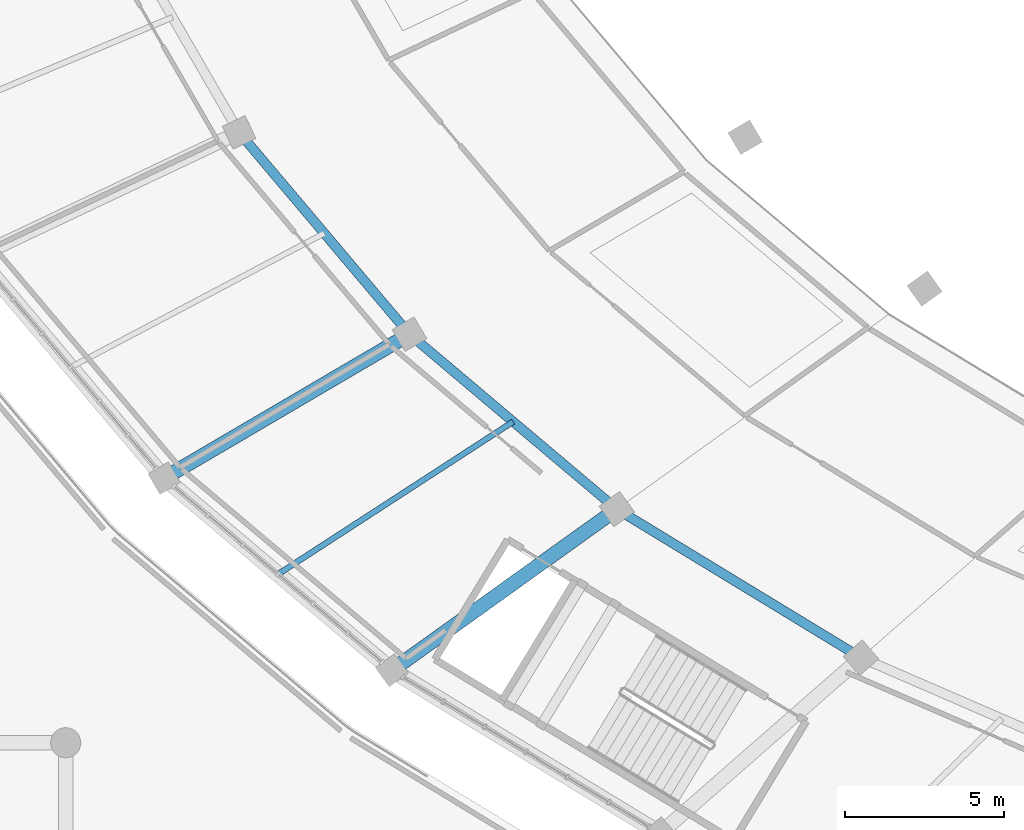
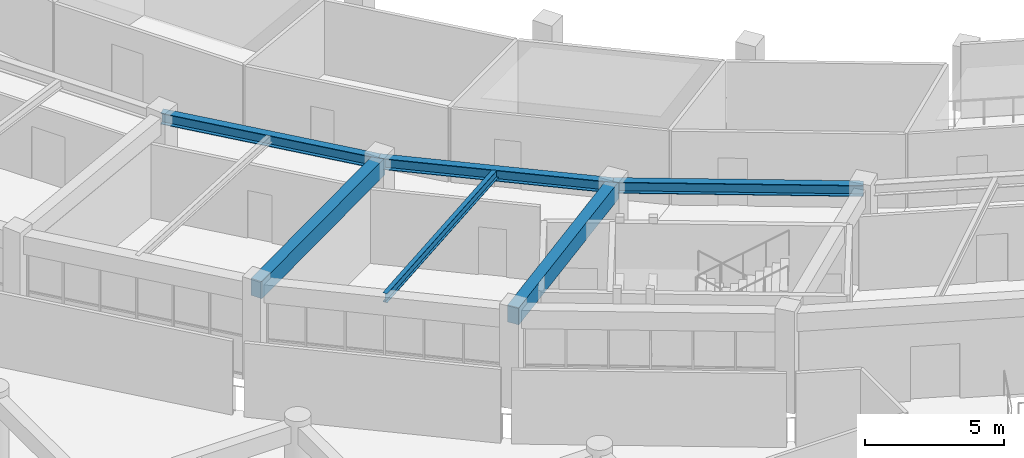
# One storey, part 20 of 141: 6 beams.
"""IFC4 building model written with IfcOpenShell, lengths in metres."""

from ifc_helpers import new_model, si_unit, direction, frame, origin, origin_2d, place, context, subcontext, project, spatial, rectangle, i_section, extrude, material, material_profile, profile_set, type_object, element, save


model = new_model("IFC4")

# Units and contexts
model_context = context("Model", 3, precision=1e-05, world=origin(), true_north=direction((0.0, 1.0)))
body_context = subcontext(model_context, "Body", "Model", "MODEL_VIEW")
ifc_project = project(units=[si_unit("LENGTHUNIT", "METRE"), si_unit("AREAUNIT", "SQUARE_METRE"), si_unit("VOLUMEUNIT", "CUBIC_METRE"), si_unit("PLANEANGLEUNIT", "RADIAN"), si_unit("MASSUNIT", "GRAM", prefix="KILO")], contexts=[model_context])

# Site, building, storey
site_placement = place(None, origin())
site = spatial("IfcSite", under=ifc_project, at=site_placement, CompositionType="ELEMENT")
building_placement = place(site_placement, origin())
building = spatial("IfcBuilding", under=site, at=building_placement, Name="Mphavela Belvedere Stadium", CompositionType="ELEMENT")
storey_placement = place(building_placement, frame((0.0, 0.0, 14.699951171875)))
storey = spatial("IfcBuildingStorey", under=building, at=storey_placement, Name="L03", CompositionType="ELEMENT", Elevation=14.699951171875)

# Beams
ifc_material_1 = material(Name="Steel S355", Category="steel")
ifc_material_profile_1 = material_profile(ifc_material_1, i_section(OverallWidth=0.179931640625, OverallDepth=0.39990234375, WebThickness=0.008544921875, FlangeThickness=0.013427734375, at=origin_2d()), Name="IPE 400")
ifc_profile_set_1 = profile_set([ifc_material_profile_1], Name="Steel S355")
beam_type_1 = type_object("IfcBeamType", Name="BM-JOIST-IPE400", PredefinedType="JOIST", material=ifc_profile_set_1)
beam_1_placement = place(storey_placement, frame((39.669189453125, 38.127197265625, 4.050048828125), z_axis=(-0.838915278194, -0.544262028818, 0.0), x_axis=(0.544262028818, -0.838915278194, 0.0)))
element("IfcBeam", 1, at=beam_1_placement, inside=storey, type_object=beam_type_1, Name="Concourse floor joist L03-30", PredefinedType="JOIST", context=body_context, shape_type="SweptSolid", body=[
    extrude(i_section(OverallWidth=0.179931640625, OverallDepth=0.39990234375, WebThickness=0.008544921875, FlangeThickness=0.013427734375, at=origin_2d()), origin(), (0.0, 0.0, 1.0), 8.840087890625),
])
ifc_material_2 = material(Name="Concrete C40/50", Category="concrete")
ifc_material_profile_2 = material_profile(ifc_material_2, rectangle(XDim=0.449951171875, YDim=0.75, at=origin_2d()), Name="RC 450x750")
ifc_profile_set_2 = profile_set([ifc_material_profile_2], Name="Concrete C40/50")
beam_type_2 = type_object("IfcBeamType", Name="BM-RC450x750", PredefinedType="BEAM", material=ifc_profile_set_2)
beam_2_placement = place(storey_placement, frame((36.399658203125, 40.88623046875, 3.875), z_axis=(-0.862517779395, -0.506026758411, 0.0), x_axis=(0.506026758411, -0.862517779395, 0.0)))
element("IfcBeam", 2, at=beam_2_placement, inside=storey, type_object=beam_type_2, Name="Radial concourse girder L03 R3R4-30", PredefinedType="BEAM", context=body_context, shape_type="SweptSolid", body=[
    extrude(rectangle(XDim=0.449951171875, YDim=0.75, at=origin_2d()), origin(), (0.0, 0.0, 1.0), 8.971435546875),
])
beam_3_placement = place(storey_placement, frame((42.938720703125, 35.368408203125, 3.875), z_axis=(-0.812882024932, -0.582428376319, 0.0), x_axis=(0.582428376319, -0.812882024932, 0.0)))
element("IfcBeam", 3, at=beam_3_placement, inside=storey, type_object=beam_type_2, Name="Radial concourse girder L03 R3R4-31", PredefinedType="BEAM", context=body_context, shape_type="SweptSolid", body=[
    extrude(rectangle(XDim=0.449951171875, YDim=0.75, at=origin_2d()), origin(), (0.0, 0.0, 1.0), 8.727294921875),
])
ifc_material_3 = material(Name="Steel S355", Category="steel")
ifc_material_profile_3 = material_profile(ifc_material_3, i_section(OverallWidth=0.300048828125, OverallDepth=0.489990234375, WebThickness=0.011962890625, FlangeThickness=0.02294921875, at=origin_2d()), Name="HEA 500")
ifc_profile_set_3 = profile_set([ifc_material_profile_3], Name="Steel S355")
beam_type_3 = type_object("IfcBeamType", Name="BM-STEEL-HEA500", PredefinedType="BEAM", material=ifc_profile_set_3)
beam_4_placement = place(storey_placement, frame((31.0244140625, 47.251708984375, 4.005126953125), z_axis=(0.645177396673, -0.764032804808, 0.0), x_axis=(0.764032804808, 0.645177396673, 0.0)))
element("IfcBeam", 4, at=beam_4_placement, inside=storey, type_object=beam_type_3, Name="Circumferential girder L03 R3-29", PredefinedType="BEAM", context=body_context, shape_type="SweptSolid", body=[
    extrude(i_section(OverallWidth=0.300048828125, OverallDepth=0.489990234375, WebThickness=0.011962890625, FlangeThickness=0.02294921875, at=origin_2d()), origin(), (0.0, 0.0, 1.0), 8.331298828125),
])
beam_5_placement = place(storey_placement, frame((36.399658203125, 40.88623046875, 4.005126953125), z_axis=(0.764263355392, -0.644904274761, 0.0), x_axis=(0.644904274761, 0.764263355392, 0.0)))
element("IfcBeam", 5, at=beam_5_placement, inside=storey, type_object=beam_type_3, Name="Circumferential girder L03 R3-30", PredefinedType="BEAM", context=body_context, shape_type="SweptSolid", body=[
    extrude(i_section(OverallWidth=0.300048828125, OverallDepth=0.489990234375, WebThickness=0.011962890625, FlangeThickness=0.02294921875, at=origin_2d()), origin(), (0.0, 0.0, 1.0), 8.55615234375),
])
beam_6_placement = place(storey_placement, frame((42.938720703125, 35.368408203125, 4.005126953125), z_axis=(0.854315160357, -0.519755333579, 0.0), x_axis=(0.519755333579, 0.854315160357, 0.0)))
element("IfcBeam", 6, at=beam_6_placement, inside=storey, type_object=beam_type_3, Name="Circumferential girder L03 R3-31", PredefinedType="BEAM", context=body_context, shape_type="SweptSolid", body=[
    extrude(i_section(OverallWidth=0.300048828125, OverallDepth=0.489990234375, WebThickness=0.011962890625, FlangeThickness=0.02294921875, at=origin_2d()), origin(), (0.0, 0.0, 1.0), 9.014404296875),
])

save(model, "model.ifc")
